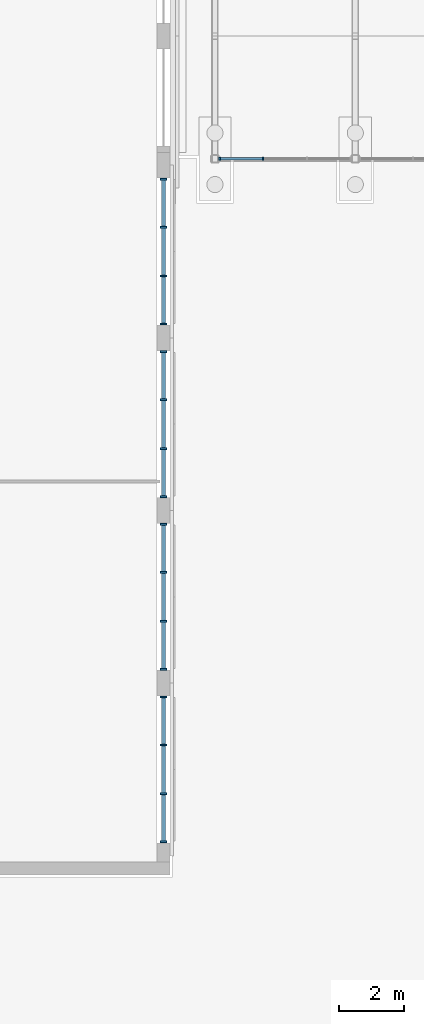
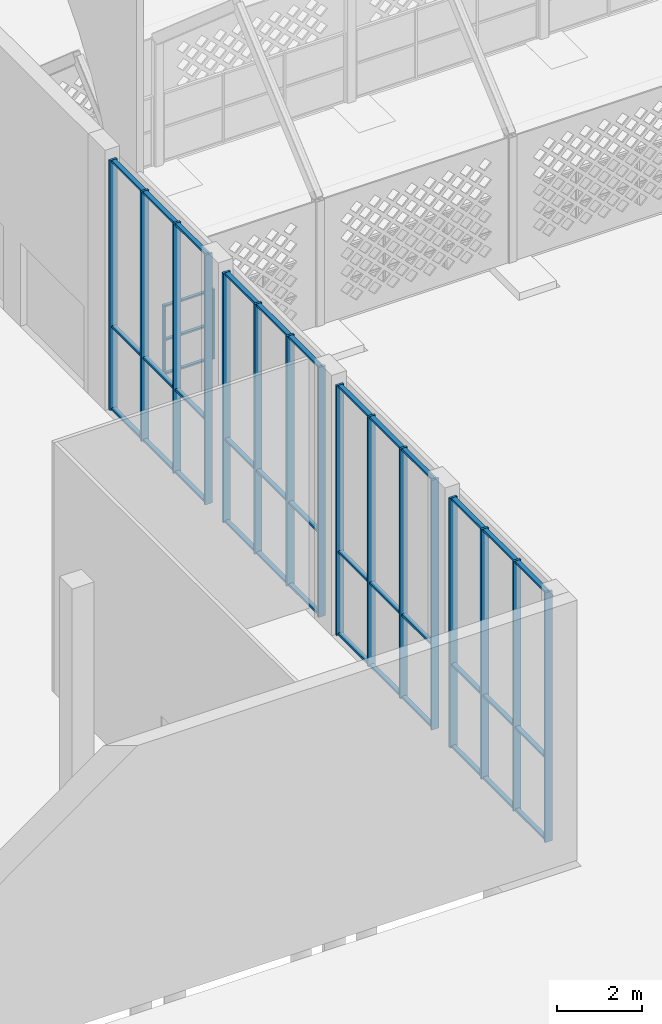
# One storey, part 19 of 79: 57 members, 5 elements without a shape of their own.
"""IFC4 building model written with IfcOpenShell, lengths in metres."""

from ifc_helpers import new_model, si_unit, direction, frame, origin, origin_2d, place, context, subcontext, project, spatial, rectangle, extrude, material, layer, layer_set, material_profile, profile_set, type_object, element, aggregate, save


model = new_model("IFC4")

# Units and contexts
model_context = context("Model", 3, precision=1e-05, world=origin(), true_north=direction((0.0, 1.0)))
body_context = subcontext(model_context, "Body", "Model", "MODEL_VIEW")
ifc_project = project(units=[si_unit("LENGTHUNIT", "METRE"), si_unit("AREAUNIT", "SQUARE_METRE"), si_unit("VOLUMEUNIT", "CUBIC_METRE"), si_unit("PLANEANGLEUNIT", "RADIAN"), si_unit("MASSUNIT", "GRAM", prefix="KILO")], contexts=[model_context])

# Site, building, storey
site_placement = place(None, origin())
site = spatial("IfcSite", under=ifc_project, at=site_placement, CompositionType="ELEMENT")
building_placement = place(site_placement, origin())
building = spatial("IfcBuilding", under=site, at=building_placement, Name="Noorbagh Ring Tower", CompositionType="ELEMENT")
storey_placement = place(building_placement, origin())
storey = spatial("IfcBuildingStorey", under=building, at=storey_placement, Name="L00", CompositionType="ELEMENT", Elevation=0.0)

# Curtain wall, members
ifc_material_1 = material(Name="Aluminium and glass", Category="aluminium")
ifc_layer_1 = layer(ifc_material_1, 0.10009765625)
ifc_layer_set_1 = layer_set([ifc_layer_1], Name="Aluminium and glass")
curtain_wall_type_1 = type_object("IfcCurtainWallType", Name="AR-CW", PredefinedType="NOTDEFINED", material=ifc_layer_set_1)
curtain_wall_1_placement = place(storey_placement, origin())
curtain_wall_1 = element("IfcCurtainWall", 1, at=curtain_wall_1_placement, inside=storey, type_object=curtain_wall_type_1, Name="Arcade glazing", PredefinedType="NOTDEFINED")
ifc_material_2 = material(Name="Aluminium", Category="aluminium")
ifc_material_profile_1 = material_profile(ifc_material_2, rectangle(XDim=0.10009765625, YDim=0.050048828125, at=origin_2d()), Name="AL 100x50")
ifc_profile_set_1 = profile_set([ifc_material_profile_1], Name="Aluminium")
member_type_1 = type_object("IfcMemberType", Name="AR-CW-MULLION", PredefinedType="MULLION", material=ifc_profile_set_1)
member_1_placement = place(storey_placement, frame((-93.449951171875, 1.199951171875, 0.0), z_axis=(0.0, 0.0, 1.0), x_axis=(0.0, 1.0, 0.0)))
member_1 = element("IfcMember", 2, at=member_1_placement, type_object=member_type_1, Name="CW-A mullion 1", PredefinedType="MULLION", context=body_context, shape_type="SweptSolid", body=[
    extrude(rectangle(XDim=0.10009765625, YDim=0.050048828125, at=origin_2d()), origin(), (0.0, 0.0, 1.0), 2.0),
])
member_2_placement = place(storey_placement, frame((-92.1083984375, 1.199951171875, 0.0), z_axis=(0.0, 0.0, 1.0), x_axis=(0.0, 1.0, 0.0)))
member_2 = element("IfcMember", 3, at=member_2_placement, type_object=member_type_1, Name="CW-A mullion 2", PredefinedType="MULLION", context=body_context, shape_type="SweptSolid", body=[
    extrude(rectangle(XDim=0.10009765625, YDim=0.050048828125, at=origin_2d()), origin(), (0.0, 0.0, 1.0), 2.0),
])
ifc_material_3 = material(Name="Aluminium", Category="aluminium")
ifc_material_profile_2 = material_profile(ifc_material_3, rectangle(XDim=0.080078125, YDim=0.050048828125, at=origin_2d()), Name="AL 80x50")
ifc_profile_set_2 = profile_set([ifc_material_profile_2], Name="Aluminium")
member_type_2 = type_object("IfcMemberType", Name="AR-CW-TRANSOM", PredefinedType="USERDEFINED", material=ifc_profile_set_2)
member_3_placement = place(storey_placement, frame((-93.425048828125, 1.199951171875, 0.02490234375), z_axis=(1.0, 0.0, 0.0), x_axis=(0.0, 1.0, 0.0)))
member_3 = element("IfcMember", 4, at=member_3_placement, type_object=member_type_2, Name="CW-A transom 1.1", ObjectType="TRANSOM", PredefinedType="USERDEFINED", context=body_context, shape_type="SweptSolid", body=[
    extrude(rectangle(XDim=0.080078125, YDim=0.050048828125, at=origin_2d()), origin(), (0.0, 0.0, 1.0), 1.291748046875),
])
member_4_placement = place(storey_placement, frame((-93.425048828125, 1.199951171875, 1.0), z_axis=(1.0, 0.0, 0.0), x_axis=(0.0, 1.0, 0.0)))
member_4 = element("IfcMember", 5, at=member_4_placement, type_object=member_type_2, Name="CW-A transom 1.2", ObjectType="TRANSOM", PredefinedType="USERDEFINED", context=body_context, shape_type="SweptSolid", body=[
    extrude(rectangle(XDim=0.080078125, YDim=0.050048828125, at=origin_2d()), origin(), (0.0, 0.0, 1.0), 1.291748046875),
])
member_5_placement = place(storey_placement, frame((-93.425048828125, 1.199951171875, 1.97509765625), z_axis=(1.0, 0.0, 0.0), x_axis=(0.0, 1.0, 0.0)))
member_5 = element("IfcMember", 6, at=member_5_placement, type_object=member_type_2, Name="CW-A transom 1.3", ObjectType="TRANSOM", PredefinedType="USERDEFINED", context=body_context, shape_type="SweptSolid", body=[
    extrude(rectangle(XDim=0.080078125, YDim=0.050048828125, at=origin_2d()), origin(), (0.0, 0.0, 1.0), 1.291748046875),
])
aggregate(curtain_wall_1, [member_1, member_2, member_3, member_4, member_5])

ifc_material_4 = material(Name="Aluminium and glass", Category="aluminium")
ifc_layer_2 = layer(ifc_material_4, 0.199951171875)
ifc_layer_set_2 = layer_set([ifc_layer_2], Name="Aluminium and glass")
curtain_wall_type_2 = type_object("IfcCurtainWallType", Name="TH-CW", PredefinedType="NOTDEFINED", material=ifc_layer_set_2)
curtain_wall_2_placement = place(storey_placement, origin())
curtain_wall_2 = element("IfcCurtainWall", 7, at=curtain_wall_2_placement, inside=storey, type_object=curtain_wall_type_2, Name="Foyer glazing", PredefinedType="NOTDEFINED")
ifc_material_5 = material(Name="Aluminium", Category="aluminium")
ifc_material_profile_3 = material_profile(ifc_material_5, rectangle(XDim=0.199951171875, YDim=0.06005859375, at=origin_2d()), Name="AL 200x60")
ifc_profile_set_3 = profile_set([ifc_material_profile_3], Name="Aluminium")
member_type_3 = type_object("IfcMemberType", Name="TH-CW-MULLION", PredefinedType="MULLION", material=ifc_profile_set_3)
member_6_placement = place(storey_placement, frame((-95.199951171875, -19.969970703125, 0.0), z_axis=(0.0, 0.0, 1.0), x_axis=(-1.0, 0.0, 0.0)))
member_6 = element("IfcMember", 8, at=member_6_placement, type_object=member_type_3, Name="CW-T mullion 1", PredefinedType="MULLION", context=body_context, shape_type="SweptSolid", body=[
    extrude(rectangle(XDim=0.199951171875, YDim=0.06005859375, at=origin_2d()), origin(), (0.0, 0.0, 1.0), 7.199951171875),
])
member_7_placement = place(storey_placement, frame((-95.199951171875, -18.4833984375, 0.0), z_axis=(0.0, 0.0, 1.0), x_axis=(-1.0, 0.0, 0.0)))
member_7 = element("IfcMember", 9, at=member_7_placement, type_object=member_type_3, Name="CW-T mullion 2", PredefinedType="MULLION", context=body_context, shape_type="SweptSolid", body=[
    extrude(rectangle(XDim=0.199951171875, YDim=0.06005859375, at=origin_2d()), origin(), (0.0, 0.0, 1.0), 7.199951171875),
])
member_8_placement = place(storey_placement, frame((-95.199951171875, -16.966552734375, 0.0), z_axis=(0.0, 0.0, 1.0), x_axis=(-1.0, 0.0, 0.0)))
member_8 = element("IfcMember", 10, at=member_8_placement, type_object=member_type_3, Name="CW-T mullion 3", PredefinedType="MULLION", context=body_context, shape_type="SweptSolid", body=[
    extrude(rectangle(XDim=0.199951171875, YDim=0.06005859375, at=origin_2d()), origin(), (0.0, 0.0, 1.0), 7.199951171875),
])
member_9_placement = place(storey_placement, frame((-95.199951171875, -15.47998046875, 0.0), z_axis=(0.0, 0.0, 1.0), x_axis=(-1.0, 0.0, 0.0)))
member_9 = element("IfcMember", 11, at=member_9_placement, type_object=member_type_3, Name="CW-T mullion 4", PredefinedType="MULLION", context=body_context, shape_type="SweptSolid", body=[
    extrude(rectangle(XDim=0.199951171875, YDim=0.06005859375, at=origin_2d()), origin(), (0.0, 0.0, 1.0), 7.199951171875),
])

curtain_wall_3_placement = place(storey_placement, origin())
curtain_wall_3 = element("IfcCurtainWall", 12, at=curtain_wall_3_placement, inside=storey, type_object=curtain_wall_type_2, Name="Foyer glazing", PredefinedType="NOTDEFINED")
member_10_placement = place(storey_placement, frame((-95.199951171875, -14.6201171875, 0.0), z_axis=(0.0, 0.0, 1.0), x_axis=(-1.0, 0.0, 0.0)))
member_10 = element("IfcMember", 13, at=member_10_placement, type_object=member_type_3, Name="CW-T mullion 1", PredefinedType="MULLION", context=body_context, shape_type="SweptSolid", body=[
    extrude(rectangle(XDim=0.199951171875, YDim=0.06005859375, at=origin_2d()), origin(), (0.0, 0.0, 1.0), 7.199951171875),
])
member_11_placement = place(storey_placement, frame((-95.199951171875, -13.13330078125, 0.0), z_axis=(0.0, 0.0, 1.0), x_axis=(-1.0, 0.0, 0.0)))
member_11 = element("IfcMember", 14, at=member_11_placement, type_object=member_type_3, Name="CW-T mullion 2", PredefinedType="MULLION", context=body_context, shape_type="SweptSolid", body=[
    extrude(rectangle(XDim=0.199951171875, YDim=0.06005859375, at=origin_2d()), origin(), (0.0, 0.0, 1.0), 7.199951171875),
])
member_12_placement = place(storey_placement, frame((-95.199951171875, -11.61669921875, 0.0), z_axis=(0.0, 0.0, 1.0), x_axis=(-1.0, 0.0, 0.0)))
member_12 = element("IfcMember", 15, at=member_12_placement, type_object=member_type_3, Name="CW-T mullion 3", PredefinedType="MULLION", context=body_context, shape_type="SweptSolid", body=[
    extrude(rectangle(XDim=0.199951171875, YDim=0.06005859375, at=origin_2d()), origin(), (0.0, 0.0, 1.0), 7.199951171875),
])
member_13_placement = place(storey_placement, frame((-95.199951171875, -10.1298828125, 0.0), z_axis=(0.0, 0.0, 1.0), x_axis=(-1.0, 0.0, 0.0)))
member_13 = element("IfcMember", 16, at=member_13_placement, type_object=member_type_3, Name="CW-T mullion 4", PredefinedType="MULLION", context=body_context, shape_type="SweptSolid", body=[
    extrude(rectangle(XDim=0.199951171875, YDim=0.06005859375, at=origin_2d()), origin(), (0.0, 0.0, 1.0), 7.199951171875),
])

curtain_wall_4_placement = place(storey_placement, origin())
curtain_wall_4 = element("IfcCurtainWall", 17, at=curtain_wall_4_placement, inside=storey, type_object=curtain_wall_type_2, Name="Foyer glazing", PredefinedType="NOTDEFINED")
member_14_placement = place(storey_placement, frame((-95.199951171875, -9.27001953125, 0.0), z_axis=(0.0, 0.0, 1.0), x_axis=(-1.0, 0.0, 0.0)))
member_14 = element("IfcMember", 18, at=member_14_placement, type_object=member_type_3, Name="CW-T mullion 1", PredefinedType="MULLION", context=body_context, shape_type="SweptSolid", body=[
    extrude(rectangle(XDim=0.199951171875, YDim=0.06005859375, at=origin_2d()), origin(), (0.0, 0.0, 1.0), 7.199951171875),
])
member_15_placement = place(storey_placement, frame((-95.199951171875, -7.783447265625, 0.0), z_axis=(0.0, 0.0, 1.0), x_axis=(-1.0, 0.0, 0.0)))
member_15 = element("IfcMember", 19, at=member_15_placement, type_object=member_type_3, Name="CW-T mullion 2", PredefinedType="MULLION", context=body_context, shape_type="SweptSolid", body=[
    extrude(rectangle(XDim=0.199951171875, YDim=0.06005859375, at=origin_2d()), origin(), (0.0, 0.0, 1.0), 7.199951171875),
])
member_16_placement = place(storey_placement, frame((-95.199951171875, -6.2666015625, 0.0), z_axis=(0.0, 0.0, 1.0), x_axis=(-1.0, 0.0, 0.0)))
member_16 = element("IfcMember", 20, at=member_16_placement, type_object=member_type_3, Name="CW-T mullion 3", PredefinedType="MULLION", context=body_context, shape_type="SweptSolid", body=[
    extrude(rectangle(XDim=0.199951171875, YDim=0.06005859375, at=origin_2d()), origin(), (0.0, 0.0, 1.0), 7.199951171875),
])
member_17_placement = place(storey_placement, frame((-95.199951171875, -4.780029296875, 0.0), z_axis=(0.0, 0.0, 1.0), x_axis=(-1.0, 0.0, 0.0)))
member_17 = element("IfcMember", 21, at=member_17_placement, type_object=member_type_3, Name="CW-T mullion 4", PredefinedType="MULLION", context=body_context, shape_type="SweptSolid", body=[
    extrude(rectangle(XDim=0.199951171875, YDim=0.06005859375, at=origin_2d()), origin(), (0.0, 0.0, 1.0), 7.199951171875),
])

curtain_wall_5_placement = place(storey_placement, origin())
curtain_wall_5 = element("IfcCurtainWall", 22, at=curtain_wall_5_placement, inside=storey, type_object=curtain_wall_type_2, Name="Foyer glazing", PredefinedType="NOTDEFINED")
member_18_placement = place(storey_placement, frame((-95.199951171875, -3.919921875, 0.0), z_axis=(0.0, 0.0, 1.0), x_axis=(-1.0, 0.0, 0.0)))
member_18 = element("IfcMember", 23, at=member_18_placement, type_object=member_type_3, Name="CW-T mullion 1", PredefinedType="MULLION", context=body_context, shape_type="SweptSolid", body=[
    extrude(rectangle(XDim=0.199951171875, YDim=0.06005859375, at=origin_2d()), origin(), (0.0, 0.0, 1.0), 7.199951171875),
])
member_19_placement = place(storey_placement, frame((-95.199951171875, -2.433349609375, 0.0), z_axis=(0.0, 0.0, 1.0), x_axis=(-1.0, 0.0, 0.0)))
member_19 = element("IfcMember", 24, at=member_19_placement, type_object=member_type_3, Name="CW-T mullion 2", PredefinedType="MULLION", context=body_context, shape_type="SweptSolid", body=[
    extrude(rectangle(XDim=0.199951171875, YDim=0.06005859375, at=origin_2d()), origin(), (0.0, 0.0, 1.0), 7.199951171875),
])
member_20_placement = place(storey_placement, frame((-95.199951171875, -0.916748046875, 0.0), z_axis=(0.0, 0.0, 1.0), x_axis=(-1.0, 0.0, 0.0)))
member_20 = element("IfcMember", 25, at=member_20_placement, type_object=member_type_3, Name="CW-T mullion 3", PredefinedType="MULLION", context=body_context, shape_type="SweptSolid", body=[
    extrude(rectangle(XDim=0.199951171875, YDim=0.06005859375, at=origin_2d()), origin(), (0.0, 0.0, 1.0), 7.199951171875),
])
member_21_placement = place(storey_placement, frame((-95.199951171875, 0.570068359375, 0.0), z_axis=(0.0, 0.0, 1.0), x_axis=(-1.0, 0.0, 0.0)))
member_21 = element("IfcMember", 26, at=member_21_placement, type_object=member_type_3, Name="CW-T mullion 4", PredefinedType="MULLION", context=body_context, shape_type="SweptSolid", body=[
    extrude(rectangle(XDim=0.199951171875, YDim=0.06005859375, at=origin_2d()), origin(), (0.0, 0.0, 1.0), 7.199951171875),
])

# Member
ifc_material_6 = material(Name="Aluminium", Category="aluminium")
ifc_material_profile_4 = material_profile(ifc_material_6, rectangle(XDim=0.1201171875, YDim=0.06005859375, at=origin_2d()), Name="AL 120x60")
ifc_profile_set_4 = profile_set([ifc_material_profile_4], Name="Aluminium")
member_type_4 = type_object("IfcMemberType", Name="TH-CW-TRANSOM", PredefinedType="USERDEFINED", material=ifc_profile_set_4)
member_22_placement = place(storey_placement, frame((-95.199951171875, -19.93994140625, 0.030029296875), z_axis=(0.0, 1.0, 0.0), x_axis=(-1.0, 0.0, 0.0)))
member_22 = element("IfcMember", 27, at=member_22_placement, type_object=member_type_4, Name="CW-T transom 1.1", ObjectType="TRANSOM", PredefinedType="USERDEFINED", context=body_context, shape_type="SweptSolid", body=[
    extrude(rectangle(XDim=0.1201171875, YDim=0.06005859375, at=origin_2d()), origin(), (0.0, 0.0, 1.0), 1.426513671875),
])

member_23_placement = place(storey_placement, frame((-95.199951171875, -19.93994140625, 2.39990234375), z_axis=(0.0, 1.0, 0.0), x_axis=(-1.0, 0.0, 0.0)))
member_23 = element("IfcMember", 28, at=member_23_placement, type_object=member_type_4, Name="CW-T transom 1.2", ObjectType="TRANSOM", PredefinedType="USERDEFINED", context=body_context, shape_type="SweptSolid", body=[
    extrude(rectangle(XDim=0.1201171875, YDim=0.06005859375, at=origin_2d()), origin(), (0.0, 0.0, 1.0), 1.426513671875),
])

member_24_placement = place(storey_placement, frame((-95.199951171875, -19.93994140625, 7.169921875), z_axis=(0.0, 1.0, 0.0), x_axis=(-1.0, 0.0, 0.0)))
member_24 = element("IfcMember", 29, at=member_24_placement, type_object=member_type_4, Name="CW-T transom 1.3", ObjectType="TRANSOM", PredefinedType="USERDEFINED", context=body_context, shape_type="SweptSolid", body=[
    extrude(rectangle(XDim=0.1201171875, YDim=0.06005859375, at=origin_2d()), origin(), (0.0, 0.0, 1.0), 1.426513671875),
])

member_25_placement = place(storey_placement, frame((-95.199951171875, -18.453369140625, 0.030029296875), z_axis=(0.0, 1.0, 0.0), x_axis=(-1.0, 0.0, 0.0)))
member_25 = element("IfcMember", 30, at=member_25_placement, type_object=member_type_4, Name="CW-T transom 2.1", ObjectType="TRANSOM", PredefinedType="USERDEFINED", context=body_context, shape_type="SweptSolid", body=[
    extrude(rectangle(XDim=0.1201171875, YDim=0.06005859375, at=origin_2d()), origin(), (0.0, 0.0, 1.0), 1.456787109375),
])

member_26_placement = place(storey_placement, frame((-95.199951171875, -18.453369140625, 2.39990234375), z_axis=(0.0, 1.0, 0.0), x_axis=(-1.0, 0.0, 0.0)))
member_26 = element("IfcMember", 31, at=member_26_placement, type_object=member_type_4, Name="CW-T transom 2.2", ObjectType="TRANSOM", PredefinedType="USERDEFINED", context=body_context, shape_type="SweptSolid", body=[
    extrude(rectangle(XDim=0.1201171875, YDim=0.06005859375, at=origin_2d()), origin(), (0.0, 0.0, 1.0), 1.456787109375),
])

member_27_placement = place(storey_placement, frame((-95.199951171875, -18.453369140625, 7.169921875), z_axis=(0.0, 1.0, 0.0), x_axis=(-1.0, 0.0, 0.0)))
member_27 = element("IfcMember", 32, at=member_27_placement, type_object=member_type_4, Name="CW-T transom 2.3", ObjectType="TRANSOM", PredefinedType="USERDEFINED", context=body_context, shape_type="SweptSolid", body=[
    extrude(rectangle(XDim=0.1201171875, YDim=0.06005859375, at=origin_2d()), origin(), (0.0, 0.0, 1.0), 1.456787109375),
])

member_28_placement = place(storey_placement, frame((-95.199951171875, -16.936767578125, 0.030029296875), z_axis=(0.0, 1.0, 0.0), x_axis=(-1.0, 0.0, 0.0)))
member_28 = element("IfcMember", 33, at=member_28_placement, type_object=member_type_4, Name="CW-T transom 3.1", ObjectType="TRANSOM", PredefinedType="USERDEFINED", context=body_context, shape_type="SweptSolid", body=[
    extrude(rectangle(XDim=0.1201171875, YDim=0.06005859375, at=origin_2d()), origin(), (0.0, 0.0, 1.0), 1.4267578125),
])

member_29_placement = place(storey_placement, frame((-95.199951171875, -16.936767578125, 2.39990234375), z_axis=(0.0, 1.0, 0.0), x_axis=(-1.0, 0.0, 0.0)))
member_29 = element("IfcMember", 34, at=member_29_placement, type_object=member_type_4, Name="CW-T transom 3.2", ObjectType="TRANSOM", PredefinedType="USERDEFINED", context=body_context, shape_type="SweptSolid", body=[
    extrude(rectangle(XDim=0.1201171875, YDim=0.06005859375, at=origin_2d()), origin(), (0.0, 0.0, 1.0), 1.4267578125),
])

member_30_placement = place(storey_placement, frame((-95.199951171875, -16.936767578125, 7.169921875), z_axis=(0.0, 1.0, 0.0), x_axis=(-1.0, 0.0, 0.0)))
member_30 = element("IfcMember", 35, at=member_30_placement, type_object=member_type_4, Name="CW-T transom 3.3", ObjectType="TRANSOM", PredefinedType="USERDEFINED", context=body_context, shape_type="SweptSolid", body=[
    extrude(rectangle(XDim=0.1201171875, YDim=0.06005859375, at=origin_2d()), origin(), (0.0, 0.0, 1.0), 1.4267578125),
])

aggregate(curtain_wall_2, [member_6, member_7, member_8, member_9, member_22, member_23, member_24, member_25, member_26, member_27, member_28, member_29, member_30])

member_31_placement = place(storey_placement, frame((-95.199951171875, -14.590087890625, 0.030029296875), z_axis=(0.0, 1.0, 0.0), x_axis=(-1.0, 0.0, 0.0)))
member_31 = element("IfcMember", 36, at=member_31_placement, type_object=member_type_4, Name="CW-T transom 1.1", ObjectType="TRANSOM", PredefinedType="USERDEFINED", context=body_context, shape_type="SweptSolid", body=[
    extrude(rectangle(XDim=0.1201171875, YDim=0.06005859375, at=origin_2d()), origin(), (0.0, 0.0, 1.0), 1.4267578125),
])

member_32_placement = place(storey_placement, frame((-95.199951171875, -14.590087890625, 2.39990234375), z_axis=(0.0, 1.0, 0.0), x_axis=(-1.0, 0.0, 0.0)))
member_32 = element("IfcMember", 37, at=member_32_placement, type_object=member_type_4, Name="CW-T transom 1.2", ObjectType="TRANSOM", PredefinedType="USERDEFINED", context=body_context, shape_type="SweptSolid", body=[
    extrude(rectangle(XDim=0.1201171875, YDim=0.06005859375, at=origin_2d()), origin(), (0.0, 0.0, 1.0), 1.4267578125),
])

member_33_placement = place(storey_placement, frame((-95.199951171875, -14.590087890625, 7.169921875), z_axis=(0.0, 1.0, 0.0), x_axis=(-1.0, 0.0, 0.0)))
member_33 = element("IfcMember", 38, at=member_33_placement, type_object=member_type_4, Name="CW-T transom 1.3", ObjectType="TRANSOM", PredefinedType="USERDEFINED", context=body_context, shape_type="SweptSolid", body=[
    extrude(rectangle(XDim=0.1201171875, YDim=0.06005859375, at=origin_2d()), origin(), (0.0, 0.0, 1.0), 1.4267578125),
])

member_34_placement = place(storey_placement, frame((-95.199951171875, -13.103271484375, 0.030029296875), z_axis=(0.0, 1.0, 0.0), x_axis=(-1.0, 0.0, 0.0)))
member_34 = element("IfcMember", 39, at=member_34_placement, type_object=member_type_4, Name="CW-T transom 2.1", ObjectType="TRANSOM", PredefinedType="USERDEFINED", context=body_context, shape_type="SweptSolid", body=[
    extrude(rectangle(XDim=0.1201171875, YDim=0.06005859375, at=origin_2d()), origin(), (0.0, 0.0, 1.0), 1.45654296875),
])

member_35_placement = place(storey_placement, frame((-95.199951171875, -13.103271484375, 2.39990234375), z_axis=(0.0, 1.0, 0.0), x_axis=(-1.0, 0.0, 0.0)))
member_35 = element("IfcMember", 40, at=member_35_placement, type_object=member_type_4, Name="CW-T transom 2.2", ObjectType="TRANSOM", PredefinedType="USERDEFINED", context=body_context, shape_type="SweptSolid", body=[
    extrude(rectangle(XDim=0.1201171875, YDim=0.06005859375, at=origin_2d()), origin(), (0.0, 0.0, 1.0), 1.45654296875),
])

member_36_placement = place(storey_placement, frame((-95.199951171875, -13.103271484375, 7.169921875), z_axis=(0.0, 1.0, 0.0), x_axis=(-1.0, 0.0, 0.0)))
member_36 = element("IfcMember", 41, at=member_36_placement, type_object=member_type_4, Name="CW-T transom 2.3", ObjectType="TRANSOM", PredefinedType="USERDEFINED", context=body_context, shape_type="SweptSolid", body=[
    extrude(rectangle(XDim=0.1201171875, YDim=0.06005859375, at=origin_2d()), origin(), (0.0, 0.0, 1.0), 1.45654296875),
])

member_37_placement = place(storey_placement, frame((-95.199951171875, -11.586669921875, 0.030029296875), z_axis=(0.0, 1.0, 0.0), x_axis=(-1.0, 0.0, 0.0)))
member_37 = element("IfcMember", 42, at=member_37_placement, type_object=member_type_4, Name="CW-T transom 3.1", ObjectType="TRANSOM", PredefinedType="USERDEFINED", context=body_context, shape_type="SweptSolid", body=[
    extrude(rectangle(XDim=0.1201171875, YDim=0.06005859375, at=origin_2d()), origin(), (0.0, 0.0, 1.0), 1.4267578125),
])

member_38_placement = place(storey_placement, frame((-95.199951171875, -11.586669921875, 2.39990234375), z_axis=(0.0, 1.0, 0.0), x_axis=(-1.0, 0.0, 0.0)))
member_38 = element("IfcMember", 43, at=member_38_placement, type_object=member_type_4, Name="CW-T transom 3.2", ObjectType="TRANSOM", PredefinedType="USERDEFINED", context=body_context, shape_type="SweptSolid", body=[
    extrude(rectangle(XDim=0.1201171875, YDim=0.06005859375, at=origin_2d()), origin(), (0.0, 0.0, 1.0), 1.4267578125),
])

member_39_placement = place(storey_placement, frame((-95.199951171875, -11.586669921875, 7.169921875), z_axis=(0.0, 1.0, 0.0), x_axis=(-1.0, 0.0, 0.0)))
member_39 = element("IfcMember", 44, at=member_39_placement, type_object=member_type_4, Name="CW-T transom 3.3", ObjectType="TRANSOM", PredefinedType="USERDEFINED", context=body_context, shape_type="SweptSolid", body=[
    extrude(rectangle(XDim=0.1201171875, YDim=0.06005859375, at=origin_2d()), origin(), (0.0, 0.0, 1.0), 1.4267578125),
])

aggregate(curtain_wall_3, [member_10, member_11, member_12, member_13, member_31, member_32, member_33, member_34, member_35, member_36, member_37, member_38, member_39])

member_40_placement = place(storey_placement, frame((-95.199951171875, -9.239990234375, 0.030029296875), z_axis=(0.0, 1.0, 0.0), x_axis=(-1.0, 0.0, 0.0)))
member_40 = element("IfcMember", 45, at=member_40_placement, type_object=member_type_4, Name="CW-T transom 1.1", ObjectType="TRANSOM", PredefinedType="USERDEFINED", context=body_context, shape_type="SweptSolid", body=[
    extrude(rectangle(XDim=0.1201171875, YDim=0.06005859375, at=origin_2d()), origin(), (0.0, 0.0, 1.0), 1.4267578125),
])

member_41_placement = place(storey_placement, frame((-95.199951171875, -9.239990234375, 2.39990234375), z_axis=(0.0, 1.0, 0.0), x_axis=(-1.0, 0.0, 0.0)))
member_41 = element("IfcMember", 46, at=member_41_placement, type_object=member_type_4, Name="CW-T transom 1.2", ObjectType="TRANSOM", PredefinedType="USERDEFINED", context=body_context, shape_type="SweptSolid", body=[
    extrude(rectangle(XDim=0.1201171875, YDim=0.06005859375, at=origin_2d()), origin(), (0.0, 0.0, 1.0), 1.4267578125),
])

member_42_placement = place(storey_placement, frame((-95.199951171875, -9.239990234375, 7.169921875), z_axis=(0.0, 1.0, 0.0), x_axis=(-1.0, 0.0, 0.0)))
member_42 = element("IfcMember", 47, at=member_42_placement, type_object=member_type_4, Name="CW-T transom 1.3", ObjectType="TRANSOM", PredefinedType="USERDEFINED", context=body_context, shape_type="SweptSolid", body=[
    extrude(rectangle(XDim=0.1201171875, YDim=0.06005859375, at=origin_2d()), origin(), (0.0, 0.0, 1.0), 1.4267578125),
])

member_43_placement = place(storey_placement, frame((-95.199951171875, -7.75341796875, 0.030029296875), z_axis=(0.0, 1.0, 0.0), x_axis=(-1.0, 0.0, 0.0)))
member_43 = element("IfcMember", 48, at=member_43_placement, type_object=member_type_4, Name="CW-T transom 2.1", ObjectType="TRANSOM", PredefinedType="USERDEFINED", context=body_context, shape_type="SweptSolid", body=[
    extrude(rectangle(XDim=0.1201171875, YDim=0.06005859375, at=origin_2d()), origin(), (0.0, 0.0, 1.0), 1.456787109375),
])

member_44_placement = place(storey_placement, frame((-95.199951171875, -7.75341796875, 2.39990234375), z_axis=(0.0, 1.0, 0.0), x_axis=(-1.0, 0.0, 0.0)))
member_44 = element("IfcMember", 49, at=member_44_placement, type_object=member_type_4, Name="CW-T transom 2.2", ObjectType="TRANSOM", PredefinedType="USERDEFINED", context=body_context, shape_type="SweptSolid", body=[
    extrude(rectangle(XDim=0.1201171875, YDim=0.06005859375, at=origin_2d()), origin(), (0.0, 0.0, 1.0), 1.456787109375),
])

member_45_placement = place(storey_placement, frame((-95.199951171875, -7.75341796875, 7.169921875), z_axis=(0.0, 1.0, 0.0), x_axis=(-1.0, 0.0, 0.0)))
member_45 = element("IfcMember", 50, at=member_45_placement, type_object=member_type_4, Name="CW-T transom 2.3", ObjectType="TRANSOM", PredefinedType="USERDEFINED", context=body_context, shape_type="SweptSolid", body=[
    extrude(rectangle(XDim=0.1201171875, YDim=0.06005859375, at=origin_2d()), origin(), (0.0, 0.0, 1.0), 1.456787109375),
])

member_46_placement = place(storey_placement, frame((-95.199951171875, -6.236572265625, 0.030029296875), z_axis=(0.0, 1.0, 0.0), x_axis=(-1.0, 0.0, 0.0)))
member_46 = element("IfcMember", 51, at=member_46_placement, type_object=member_type_4, Name="CW-T transom 3.1", ObjectType="TRANSOM", PredefinedType="USERDEFINED", context=body_context, shape_type="SweptSolid", body=[
    extrude(rectangle(XDim=0.1201171875, YDim=0.06005859375, at=origin_2d()), origin(), (0.0, 0.0, 1.0), 1.426513671875),
])

member_47_placement = place(storey_placement, frame((-95.199951171875, -6.236572265625, 2.39990234375), z_axis=(0.0, 1.0, 0.0), x_axis=(-1.0, 0.0, 0.0)))
member_47 = element("IfcMember", 52, at=member_47_placement, type_object=member_type_4, Name="CW-T transom 3.2", ObjectType="TRANSOM", PredefinedType="USERDEFINED", context=body_context, shape_type="SweptSolid", body=[
    extrude(rectangle(XDim=0.1201171875, YDim=0.06005859375, at=origin_2d()), origin(), (0.0, 0.0, 1.0), 1.426513671875),
])

member_48_placement = place(storey_placement, frame((-95.199951171875, -6.236572265625, 7.169921875), z_axis=(0.0, 1.0, 0.0), x_axis=(-1.0, 0.0, 0.0)))
member_48 = element("IfcMember", 53, at=member_48_placement, type_object=member_type_4, Name="CW-T transom 3.3", ObjectType="TRANSOM", PredefinedType="USERDEFINED", context=body_context, shape_type="SweptSolid", body=[
    extrude(rectangle(XDim=0.1201171875, YDim=0.06005859375, at=origin_2d()), origin(), (0.0, 0.0, 1.0), 1.426513671875),
])

aggregate(curtain_wall_4, [member_14, member_15, member_16, member_17, member_40, member_41, member_42, member_43, member_44, member_45, member_46, member_47, member_48])

member_49_placement = place(storey_placement, frame((-95.199951171875, -3.889892578125, 0.030029296875), z_axis=(0.0, 1.0, 0.0), x_axis=(-1.0, 0.0, 0.0)))
member_49 = element("IfcMember", 54, at=member_49_placement, type_object=member_type_4, Name="CW-T transom 1.1", ObjectType="TRANSOM", PredefinedType="USERDEFINED", context=body_context, shape_type="SweptSolid", body=[
    extrude(rectangle(XDim=0.1201171875, YDim=0.06005859375, at=origin_2d()), origin(), (0.0, 0.0, 1.0), 1.426513671875),
])

member_50_placement = place(storey_placement, frame((-95.199951171875, -3.889892578125, 2.39990234375), z_axis=(0.0, 1.0, 0.0), x_axis=(-1.0, 0.0, 0.0)))
member_50 = element("IfcMember", 55, at=member_50_placement, type_object=member_type_4, Name="CW-T transom 1.2", ObjectType="TRANSOM", PredefinedType="USERDEFINED", context=body_context, shape_type="SweptSolid", body=[
    extrude(rectangle(XDim=0.1201171875, YDim=0.06005859375, at=origin_2d()), origin(), (0.0, 0.0, 1.0), 1.426513671875),
])

member_51_placement = place(storey_placement, frame((-95.199951171875, -3.889892578125, 7.169921875), z_axis=(0.0, 1.0, 0.0), x_axis=(-1.0, 0.0, 0.0)))
member_51 = element("IfcMember", 56, at=member_51_placement, type_object=member_type_4, Name="CW-T transom 1.3", ObjectType="TRANSOM", PredefinedType="USERDEFINED", context=body_context, shape_type="SweptSolid", body=[
    extrude(rectangle(XDim=0.1201171875, YDim=0.06005859375, at=origin_2d()), origin(), (0.0, 0.0, 1.0), 1.426513671875),
])

member_52_placement = place(storey_placement, frame((-95.199951171875, -2.4033203125, 0.030029296875), z_axis=(0.0, 1.0, 0.0), x_axis=(-1.0, 0.0, 0.0)))
member_52 = element("IfcMember", 57, at=member_52_placement, type_object=member_type_4, Name="CW-T transom 2.1", ObjectType="TRANSOM", PredefinedType="USERDEFINED", context=body_context, shape_type="SweptSolid", body=[
    extrude(rectangle(XDim=0.1201171875, YDim=0.06005859375, at=origin_2d()), origin(), (0.0, 0.0, 1.0), 1.45654296875),
])

member_53_placement = place(storey_placement, frame((-95.199951171875, -2.4033203125, 2.39990234375), z_axis=(0.0, 1.0, 0.0), x_axis=(-1.0, 0.0, 0.0)))
member_53 = element("IfcMember", 58, at=member_53_placement, type_object=member_type_4, Name="CW-T transom 2.2", ObjectType="TRANSOM", PredefinedType="USERDEFINED", context=body_context, shape_type="SweptSolid", body=[
    extrude(rectangle(XDim=0.1201171875, YDim=0.06005859375, at=origin_2d()), origin(), (0.0, 0.0, 1.0), 1.45654296875),
])

member_54_placement = place(storey_placement, frame((-95.199951171875, -2.4033203125, 7.169921875), z_axis=(0.0, 1.0, 0.0), x_axis=(-1.0, 0.0, 0.0)))
member_54 = element("IfcMember", 59, at=member_54_placement, type_object=member_type_4, Name="CW-T transom 2.3", ObjectType="TRANSOM", PredefinedType="USERDEFINED", context=body_context, shape_type="SweptSolid", body=[
    extrude(rectangle(XDim=0.1201171875, YDim=0.06005859375, at=origin_2d()), origin(), (0.0, 0.0, 1.0), 1.45654296875),
])

member_55_placement = place(storey_placement, frame((-95.199951171875, -0.88671875, 0.030029296875), z_axis=(0.0, 1.0, 0.0), x_axis=(-1.0, 0.0, 0.0)))
member_55 = element("IfcMember", 60, at=member_55_placement, type_object=member_type_4, Name="CW-T transom 3.1", ObjectType="TRANSOM", PredefinedType="USERDEFINED", context=body_context, shape_type="SweptSolid", body=[
    extrude(rectangle(XDim=0.1201171875, YDim=0.06005859375, at=origin_2d()), origin(), (0.0, 0.0, 1.0), 1.4267578125),
])

member_56_placement = place(storey_placement, frame((-95.199951171875, -0.88671875, 2.39990234375), z_axis=(0.0, 1.0, 0.0), x_axis=(-1.0, 0.0, 0.0)))
member_56 = element("IfcMember", 61, at=member_56_placement, type_object=member_type_4, Name="CW-T transom 3.2", ObjectType="TRANSOM", PredefinedType="USERDEFINED", context=body_context, shape_type="SweptSolid", body=[
    extrude(rectangle(XDim=0.1201171875, YDim=0.06005859375, at=origin_2d()), origin(), (0.0, 0.0, 1.0), 1.4267578125),
])

member_57_placement = place(storey_placement, frame((-95.199951171875, -0.88671875, 7.169921875), z_axis=(0.0, 1.0, 0.0), x_axis=(-1.0, 0.0, 0.0)))
member_57 = element("IfcMember", 62, at=member_57_placement, type_object=member_type_4, Name="CW-T transom 3.3", ObjectType="TRANSOM", PredefinedType="USERDEFINED", context=body_context, shape_type="SweptSolid", body=[
    extrude(rectangle(XDim=0.1201171875, YDim=0.06005859375, at=origin_2d()), origin(), (0.0, 0.0, 1.0), 1.4267578125),
])

aggregate(curtain_wall_5, [member_18, member_19, member_20, member_21, member_49, member_50, member_51, member_52, member_53, member_54, member_55, member_56, member_57])

save(model, "model.ifc")
